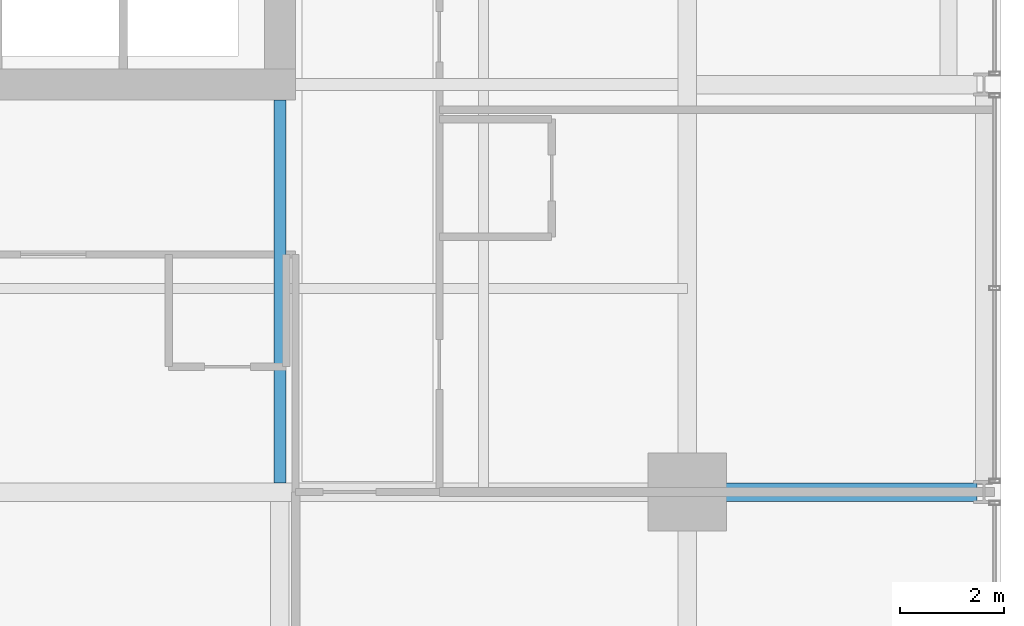
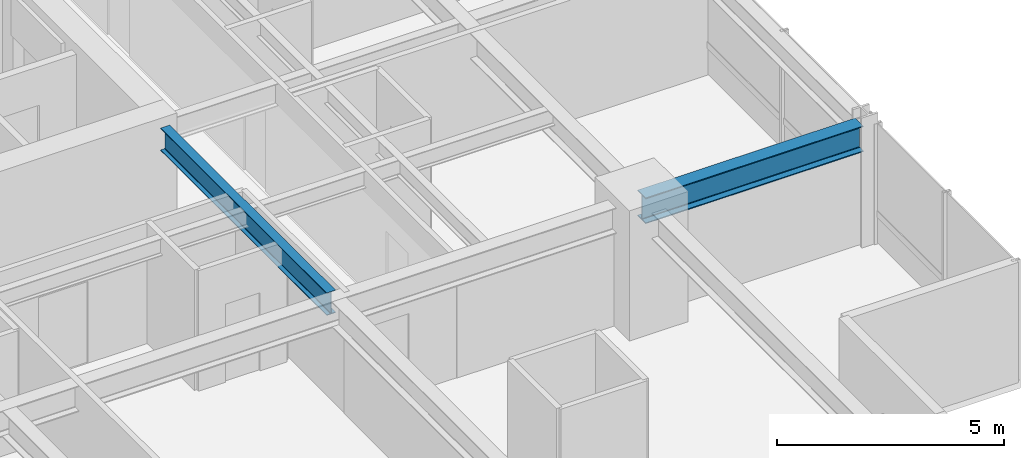
# One storey, part 12 of 34: 2 beams.
"""IFC4 building model written with IfcOpenShell, lengths in metres."""

from ifc_helpers import new_model, si_unit, direction, frame, origin, origin_2d, place, context, subcontext, project, spatial, i_section, extrude, material, material_profile, profile_set, type_object, element, save


model = new_model("IFC4")

# Units and contexts
model_context = context("Model", 3, precision=1e-05, world=origin(), true_north=direction((0.0, 1.0)))
body_context = subcontext(model_context, "Body", "Model", "MODEL_VIEW")
ifc_project = project(units=[si_unit("LENGTHUNIT", "METRE"), si_unit("AREAUNIT", "SQUARE_METRE"), si_unit("VOLUMEUNIT", "CUBIC_METRE"), si_unit("PLANEANGLEUNIT", "RADIAN"), si_unit("MASSUNIT", "GRAM", prefix="KILO")], contexts=[model_context])

# Site, building, storey
site_placement = place(None, origin())
site = spatial("IfcSite", under=ifc_project, at=site_placement, CompositionType="ELEMENT")
building_placement = place(site_placement, origin())
building = spatial("IfcBuilding", under=site, at=building_placement, Name="Drelvath Grand Hotel", CompositionType="ELEMENT")
storey_placement = place(building_placement, frame((0.0, 0.0, 126.800048828125)))
storey = spatial("IfcBuildingStorey", under=building, at=storey_placement, Name="L32", CompositionType="ELEMENT", Elevation=126.800048828125)

# Beams
ifc_material = material(Name="Steel ASTM A992 Gr 50", Category="steel")
ifc_material_profile_1 = material_profile(ifc_material, i_section(OverallWidth=0.228271484375, OverallDepth=0.607666015625, WebThickness=0.01123046875, FlangeThickness=0.017333984375, FilletRadius=0.02001953125, at=origin_2d()), Name="W24X76")
ifc_profile_set_1 = profile_set([ifc_material_profile_1], Name="Steel ASTM A992 Gr 50")
beam_type_1 = type_object("IfcBeamType", Name="Primary Floor Girder W24X76", PredefinedType="BEAM", material=ifc_profile_set_1)
beam_1_placement = place(storey_placement, frame((8.39990234375, 10.977294921875, 2.93603515625), z_axis=(0.0, 1.0, 0.0), x_axis=(-1.0, 0.0, 0.0)))
element("IfcBeam", 1, at=beam_1_placement, inside=storey, type_object=beam_type_1, Name="L32 South Core Tie 6", PredefinedType="BEAM", context=body_context, shape_type="SweptSolid", body=[
    extrude(i_section(OverallWidth=0.228271484375, OverallDepth=0.607666015625, WebThickness=0.01123046875, FlangeThickness=0.017333984375, FilletRadius=0.02001953125, at=origin_2d()), origin(), (0.0, 0.0, 1.0), 7.32275390625),
])
ifc_material_profile_2 = material_profile(ifc_material, i_section(OverallWidth=0.354736328125, OverallDepth=0.695556640625, WebThickness=0.015380859375, FlangeThickness=0.025146484375, FilletRadius=0.02392578125, at=origin_2d()), Name="W27X146")
ifc_profile_set_2 = profile_set([ifc_material_profile_2], Name="Steel ASTM A992 Gr 50")
beam_type_2 = type_object("IfcBeamType", Name="Primary Floor Girder W27X146", PredefinedType="BEAM", material=ifc_profile_set_2)
beam_2_placement = place(storey_placement, frame((16.199951171875, 10.800048828125, 2.892333984375), z_axis=(1.0, 0.0, 0.0), x_axis=(0.0, 1.0, 0.0)))
element("IfcBeam", 2, at=beam_2_placement, inside=storey, type_object=beam_type_2, Name="L32 East Grid Girder C", PredefinedType="BEAM", context=body_context, shape_type="SweptSolid", body=[
    extrude(i_section(OverallWidth=0.354736328125, OverallDepth=0.695556640625, WebThickness=0.015380859375, FlangeThickness=0.025146484375, FilletRadius=0.02392578125, at=origin_2d()), origin(), (0.0, 0.0, 1.0), 5.5400390625),
])

save(model, "model.ifc")
